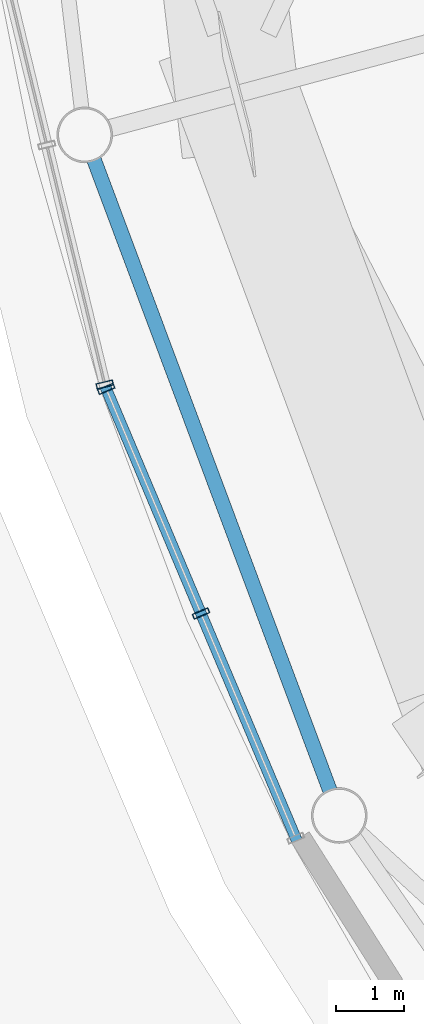
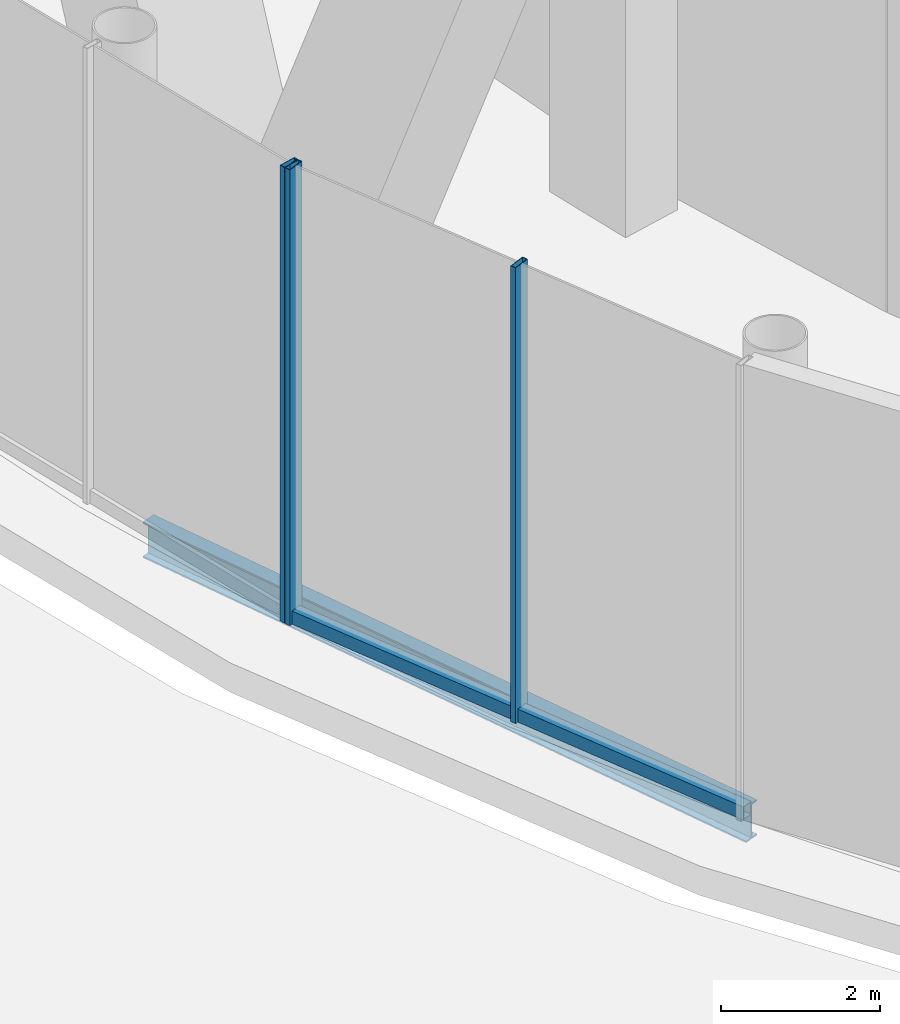
# One storey, part 8 of 67: 4 members, 1 beam, 2 elements without a shape of their own.
"""IFC4 building model written with IfcOpenShell, lengths in metres."""

from ifc_helpers import new_model, si_unit, direction, frame, origin, origin_2d, place, context, subcontext, project, spatial, hollow_rectangle, i_section, extrude, material, layer, layer_set, material_profile, profile_set, type_object, element, aggregate, save


model = new_model("IFC4")

# Units and contexts
model_context = context("Model", 3, precision=1e-05, world=origin(), true_north=direction((0.0, 1.0)))
body_context = subcontext(model_context, "Body", "Model", "MODEL_VIEW")
ifc_project = project(units=[si_unit("LENGTHUNIT", "METRE"), si_unit("AREAUNIT", "SQUARE_METRE"), si_unit("VOLUMEUNIT", "CUBIC_METRE"), si_unit("PLANEANGLEUNIT", "RADIAN"), si_unit("MASSUNIT", "GRAM", prefix="KILO")], contexts=[model_context])

# Site, building, storey
site_placement = place(None, origin())
site = spatial("IfcSite", under=ifc_project, at=site_placement, CompositionType="ELEMENT")
building_placement = place(site_placement, origin())
building = spatial("IfcBuilding", under=site, at=building_placement, Name="Nagisa Residences", CompositionType="ELEMENT")
storey_placement = place(building_placement, origin())
storey = spatial("IfcBuildingStorey", under=building, at=storey_placement, Name="L00", CompositionType="ELEMENT", Elevation=0.0)

# Beam
ifc_material_1 = material(Name="Steel ASTM A572 Gr 50", Category="steel")
ifc_material_profile_1 = material_profile(ifc_material_1, i_section(OverallWidth=0.214111328125, OverallDepth=0.549072265625, WebThickness=0.0146484375, FlangeThickness=0.023681640625, at=origin_2d()), Name="W530x138")
ifc_profile_set_1 = profile_set([ifc_material_profile_1], Name="Steel ASTM A572 Gr 50")
beam_type = type_object("IfcBeamType", Name="Atrium ring beam W530x138", PredefinedType="BEAM", material=ifc_profile_set_1)
beam_placement = place(storey_placement, frame((-32.197021484375, -11.025390625, -0.674560546875), z_axis=(0.350304540877, -0.936635857012, 0.0), x_axis=(0.936635857012, 0.350304540877, 0.0)))
element("IfcBeam", 1, at=beam_placement, inside=storey, type_object=beam_type, Name="beam:L00:ab14", PredefinedType="BEAM", context=body_context, shape_type="SweptSolid", body=[
    extrude(i_section(OverallWidth=0.214111328125, OverallDepth=0.549072265625, WebThickness=0.0146484375, FlangeThickness=0.023681640625, at=origin_2d()), origin(), (0.0, 0.0, 1.0), 9.8359375),
])

# Curtain wall, member
ifc_material_2 = material(Name="Stainless steel curtain wall system", Category="steel")
ifc_layer = layer(ifc_material_2, 0.159912109375)
ifc_layer_set = layer_set([ifc_layer], Name="CW3 CURTAIN WALL")
curtain_wall_type = type_object("IfcCurtainWallType", Name="CW3 CURTAIN WALL", PredefinedType="NOTDEFINED", material=ifc_layer_set)
curtain_wall_1_placement = place(storey_placement, origin())
curtain_wall_1 = element("IfcCurtainWall", 2, at=curtain_wall_1_placement, inside=storey, type_object=curtain_wall_type, Name="cw:CW3:L00:19", PredefinedType="NOTDEFINED")
ifc_material_3 = material(Name="Stainless steel", Category="steel")
ifc_material_profile_2 = material_profile(ifc_material_3, hollow_rectangle(XDim=0.25, YDim=0.080078125, WallThickness=0.008056640625, at=origin_2d()), Name="CW3 MULLION 250x80")
ifc_profile_set_2 = profile_set([ifc_material_profile_2], Name="Stainless steel")
member_type_1 = type_object("IfcMemberType", Name="CW3 MULLION 250x80", PredefinedType="MULLION", material=ifc_profile_set_2)
member_1_placement = place(storey_placement, frame((-32.0400390625, -14.30712890625, 0.0), z_axis=(0.0, 0.0, 1.0), x_axis=(0.971848775146, 0.235605514043, 0.0)))
member_1 = element("IfcMember", 3, at=member_1_placement, type_object=member_type_1, Name="CW3 mullion", PredefinedType="MULLION", context=body_context, shape_type="SweptSolid", body=[
    extrude(hollow_rectangle(XDim=0.25, YDim=0.080078125, WallThickness=0.008056640625, at=origin_2d()), origin(), (0.0, 0.0, 1.0), 7.0),
])
aggregate(curtain_wall_1, [member_1])

# Curtain wall, members
curtain_wall_2_placement = place(storey_placement, origin())
curtain_wall_2 = element("IfcCurtainWall", 4, at=curtain_wall_2_placement, inside=storey, type_object=curtain_wall_type, Name="cw:CW3:L00:20", PredefinedType="NOTDEFINED")
member_2_placement = place(storey_placement, frame((-32.01904296875, -14.37060546875, 0.0), z_axis=(0.0, 0.0, 1.0), x_axis=(0.921356767819, 0.388718029417, 0.0)))
member_2 = element("IfcMember", 5, at=member_2_placement, type_object=member_type_1, Name="CW3 mullion", PredefinedType="MULLION", context=body_context, shape_type="SweptSolid", body=[
    extrude(hollow_rectangle(XDim=0.25, YDim=0.080078125, WallThickness=0.008056640625, at=origin_2d()), origin(), (0.0, 0.0, 1.0), 7.0),
])
member_3_placement = place(storey_placement, frame((-30.635009765625, -17.6513671875, 0.0), z_axis=(0.0, 0.0, 1.0), x_axis=(0.921356767819, 0.388718029417, 0.0)))
member_3 = element("IfcMember", 6, at=member_3_placement, type_object=member_type_1, Name="CW3 mullion", PredefinedType="MULLION", context=body_context, shape_type="SweptSolid", body=[
    extrude(hollow_rectangle(XDim=0.25, YDim=0.080078125, WallThickness=0.008056640625, at=origin_2d()), origin(), (0.0, 0.0, 1.0), 7.0),
])
ifc_material_4 = material(Name="Stainless steel", Category="steel")
ifc_material_profile_3 = material_profile(ifc_material_4, hollow_rectangle(XDim=0.159912109375, YDim=0.199951171875, WallThickness=0.008056640625, at=origin_2d()), Name="CW3 TRANSOM 160x200")
ifc_profile_set_3 = profile_set([ifc_material_profile_3], Name="Stainless steel")
member_type_2 = type_object("IfcMemberType", Name="CW3 TRANSOM 160x200", PredefinedType="USERDEFINED", material=ifc_profile_set_3)
member_4_placement = place(storey_placement, frame((-32.03466796875, -14.333740234375, 0.10009765625), z_axis=(0.388708599467, -0.921360746234, 0.0), x_axis=(0.921360746234, 0.388708599467, 0.0)))
member_4 = element("IfcMember", 7, at=member_4_placement, type_object=member_type_2, Name="CW3 transom", ObjectType="TRANSOM", PredefinedType="USERDEFINED", context=body_context, shape_type="SweptSolid", body=[
    extrude(hollow_rectangle(XDim=0.159912109375, YDim=0.199951171875, WallThickness=0.008056640625, at=origin_2d()), origin(), (0.0, 0.0, 1.0), 7.20166015625),
])
aggregate(curtain_wall_2, [member_2, member_3, member_4])

save(model, "model.ifc")
